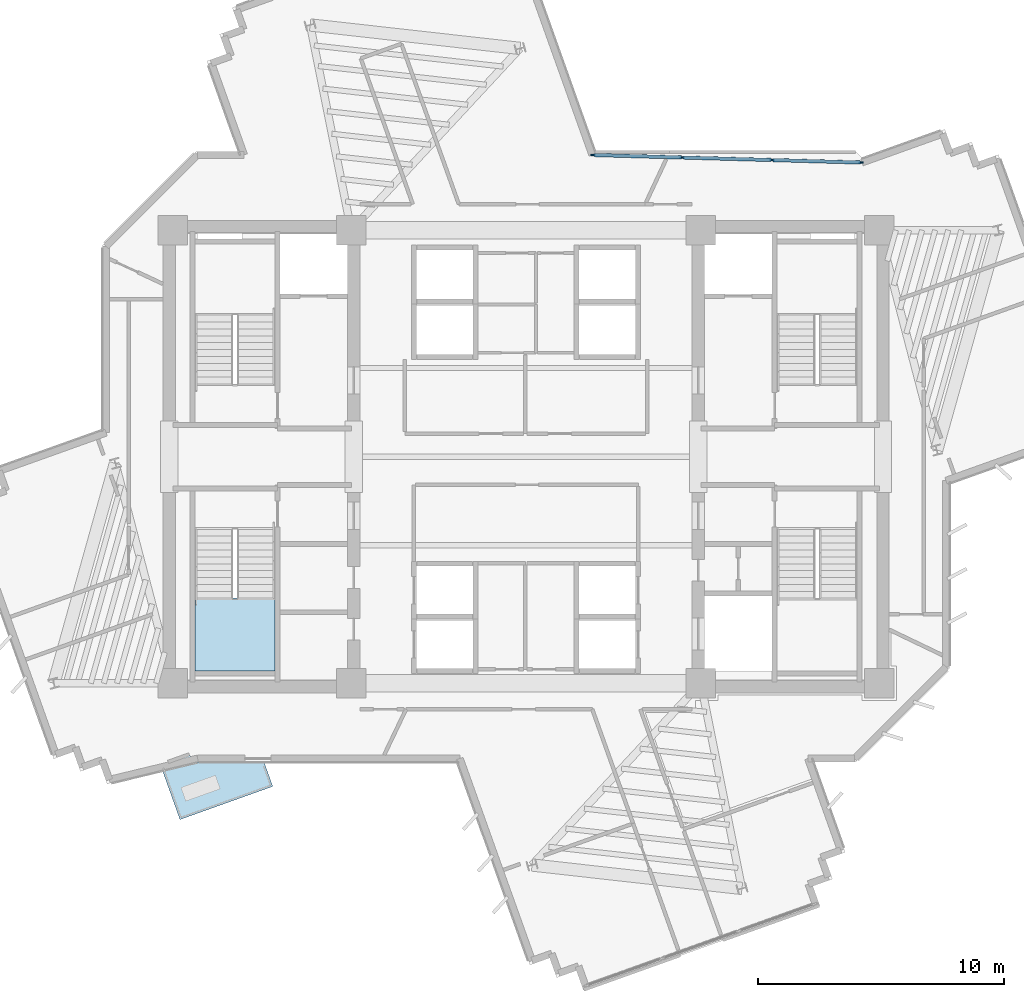
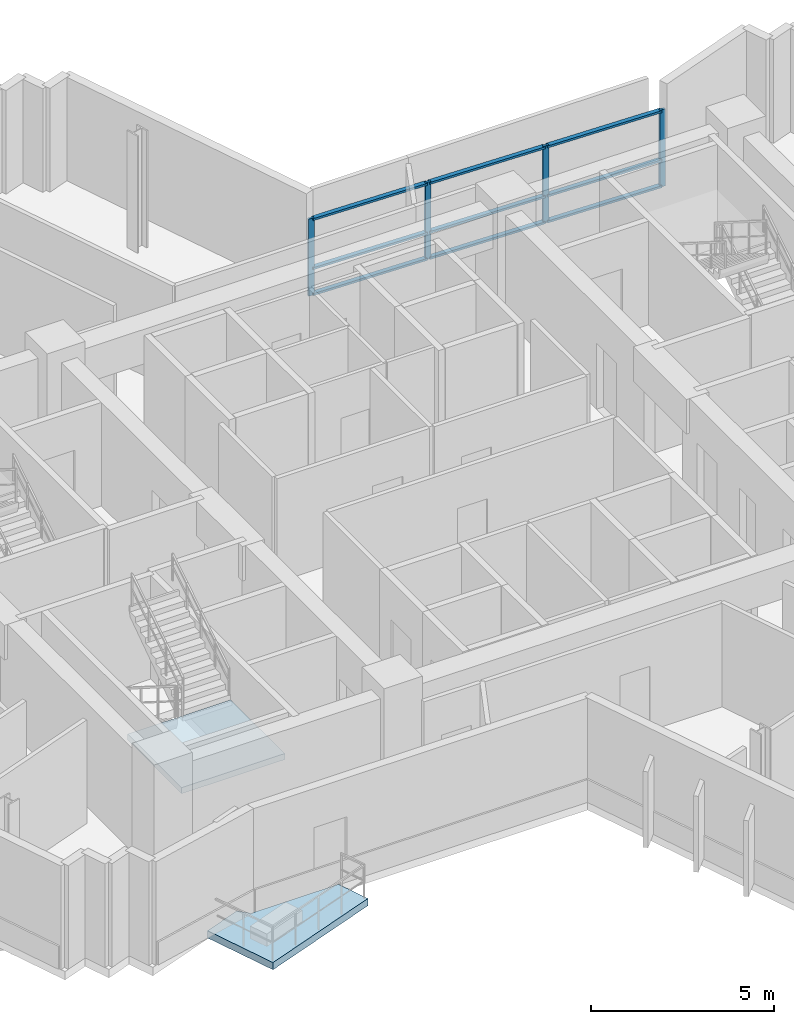
# One storey, part 4 of 13: 13 members, 2 slabs, 2 elements without a shape of their own.
"""IFC4 building model written with IfcOpenShell, lengths in metres."""

import ifcopenshell
import ifcopenshell.guid

model = None  # the IFC model being written
_history = None  # IfcOwnerHistory: only IFC2X3 demands one
_inside = {}  # id of a spatial element -> (the spatial element, [elements in it])
_under = {}  # id of a project, library or spatial element -> (it, [spatial elements below it])
_declared = {}  # id of a project -> (the project, [libraries it declares])
_typed = {}  # id of a type object -> (the type object, [elements of that type])
_made_of = {}  # id of a material, layer set ... -> (it, [elements and type objects made of it])


def new_model(schema):
    """Start an empty IFC model of exactly this schema.

    Asked for "IFC4X3", IfcOpenShell would pick the latest addendum, in which some entities
    have other attributes; the version numbers below select the first issue.
    IFC2X3 requires an IfcOwnerHistory on every rooted entity: one is made here for all.
    """
    global model, _history
    if schema == "IFC4X3":
        model = ifcopenshell.file(schema_version=(4, 3, 0, 0))
    else:
        model = ifcopenshell.file(schema=schema)
    _inside.clear()
    _under.clear()
    _declared.clear()
    _typed.clear()
    _made_of.clear()
    _history = None
    if model.schema == "IFC2X3":
        org = make("IfcOrganization", Name="unknown")
        user = make(
            "IfcPersonAndOrganization",
            ThePerson=make("IfcPerson", FamilyName="unknown"),
            TheOrganization=org,
        )
        app = make(
            "IfcApplication",
            ApplicationDeveloper=org,
            Version="unknown",
            ApplicationFullName="unknown",
            ApplicationIdentifier="unknown",
        )
        _history = make(
            "IfcOwnerHistory",
            OwningUser=user,
            OwningApplication=app,
            ChangeAction="ADDED",
            CreationDate=0,
        )
    return model


def make(cls, **values):
    """One entity of the class cls with the attributes given. An attribute that is None is left unset."""
    return model.create_entity(
        cls, **{name: value for name, value in values.items() if value is not None}
    )


def rooted(cls, **values):
    """An entity with a GlobalId (a new one), such as an element, a storey or a relation."""
    return make(cls, GlobalId=ifcopenshell.guid.new(), OwnerHistory=_history, **values)


def si_unit(unit_type, name, prefix=None):
    """IfcSIUnit, for example si_unit("LENGTHUNIT", "METRE", prefix="MILLI")."""
    return make("IfcSIUnit", UnitType=unit_type, Prefix=prefix, Name=name)


def assignment(units):
    """IfcUnitAssignment: the units of a project."""
    return None if units is None else make("IfcUnitAssignment", Units=units)


def point(xyz):
    """IfcCartesianPoint."""
    return None if xyz is None else make("IfcCartesianPoint", Coordinates=xyz)


def direction(xyz):
    """IfcDirection."""
    return None if xyz is None else make("IfcDirection", DirectionRatios=xyz)


def frame(location, z_axis=None, x_axis=None):
    """IfcAxis2Placement3D, a coordinate frame: its origin and axes. An axis left out is left unset."""
    return make(
        "IfcAxis2Placement3D",
        Location=point(location),
        Axis=direction(z_axis),
        RefDirection=direction(x_axis),
    )


def frame_2d(location, x_axis=None):
    """IfcAxis2Placement2D, a coordinate frame in the plane: its origin and x axis."""
    return make(
        "IfcAxis2Placement2D", Location=point(location), RefDirection=direction(x_axis)
    )


def origin():
    """The frame at (0, 0, 0) with its axes left unset."""
    return frame((0.0, 0.0, 0.0))


def origin_2d():
    """The frame at (0, 0) in the plane with its x axis left unset."""
    return frame_2d((0.0, 0.0))


def place(relative_to, where):
    """IfcLocalPlacement: puts the frame where relative to a parent placement (None: the world)."""
    return make(
        "IfcLocalPlacement", PlacementRelTo=relative_to, RelativePlacement=where
    )


def context(
    kind, dimensions, precision=None, world=None, true_north=None, identifier=None
):
    """IfcGeometricRepresentationContext, for example the 3D "Model" context."""
    return make(
        "IfcGeometricRepresentationContext",
        ContextIdentifier=identifier,
        ContextType=kind,
        CoordinateSpaceDimension=dimensions,
        Precision=precision,
        WorldCoordinateSystem=world,
        TrueNorth=true_north,
    )


def subcontext(parent, identifier, kind, view, scale=None):
    """IfcGeometricRepresentationSubContext, for example "Body" below "Model"."""
    return make(
        "IfcGeometricRepresentationSubContext",
        ContextIdentifier=identifier,
        ContextType=kind,
        ParentContext=parent,
        TargetScale=scale,
        TargetView=view,
    )


def project(units=None, contexts=None):
    """IfcProject with its units and contexts."""
    return rooted(
        "IfcProject",
        Name="project",
        RepresentationContexts=contexts,
        UnitsInContext=assignment(units),
    )


def spatial(cls, under=None, at=None, **own):
    """A site, building, storey or space (cls), placed at a placement, below another one or the project."""
    s = rooted(cls, ObjectPlacement=at, **own)
    if under is not None:
        _under.setdefault(under.id(), (under, []))[1].append(s)
    return s


def polyline(points):
    """IfcPolyline through the points."""
    return make("IfcPolyline", Points=[point(p) for p in points])


def profile(cls, at=None, kind="AREA", **sizes):
    """A parametric profile (cls). Its sizes go by their IFC names, for example OverallWidth=200.0."""
    return make(cls, ProfileType=kind, Position=at, **sizes)


def rectangle(**sizes):
    """IfcRectangleProfileDef."""
    return profile("IfcRectangleProfileDef", **sizes)


def outline(outer, holes=None, kind="AREA"):
    """IfcArbitraryClosedProfileDef: a profile drawn as a closed curve; with holes, ...WithVoids."""
    if holes is None:
        return make("IfcArbitraryClosedProfileDef", ProfileType=kind, OuterCurve=outer)
    return make(
        "IfcArbitraryProfileDefWithVoids",
        ProfileType=kind,
        OuterCurve=outer,
        InnerCurves=holes,
    )


def extrude(swept, where, along, depth):
    """IfcExtrudedAreaSolid: the profile swept, set in the frame where, extruded along a direction by depth."""
    return make(
        "IfcExtrudedAreaSolid",
        SweptArea=swept,
        Position=where,
        ExtrudedDirection=direction(along),
        Depth=depth,
    )


def shape(context_of_items, identifier, shape_type, items):
    """IfcShapeRepresentation: the items that make up one representation, for example the "Body"."""
    return make(
        "IfcShapeRepresentation",
        ContextOfItems=context_of_items,
        RepresentationIdentifier=identifier,
        RepresentationType=shape_type,
        Items=items,
    )


def source(mapping_origin, context_of_items, identifier, shape_type, items):
    """IfcRepresentationMap: a shape defined once, which mapped items show again and again."""
    return make(
        "IfcRepresentationMap",
        MappingOrigin=mapping_origin,
        MappedRepresentation=shape(context_of_items, identifier, shape_type, items),
    )


def transform(
    local_origin,
    x_axis=None,
    y_axis=None,
    z_axis=None,
    scale=None,
    scale2=None,
    scale3=None,
    uniform=True,
):
    """IfcCartesianTransformationOperator3D, or its non-uniform kind. x_axis, y_axis, z_axis: its Axis1, 2, 3."""
    if uniform:
        return make(
            "IfcCartesianTransformationOperator3D",
            Axis1=direction(x_axis),
            Axis2=direction(y_axis),
            LocalOrigin=point(local_origin),
            Scale=scale,
            Axis3=direction(z_axis),
        )
    return make(
        "IfcCartesianTransformationOperator3DnonUniform",
        Axis1=direction(x_axis),
        Axis2=direction(y_axis),
        LocalOrigin=point(local_origin),
        Scale=scale,
        Axis3=direction(z_axis),
        Scale2=scale2,
        Scale3=scale3,
    )


def mapped(mapping_source, mapping_target):
    """IfcMappedItem: shows the shape of a source again, moved by a transform."""
    return make(
        "IfcMappedItem", MappingSource=mapping_source, MappingTarget=mapping_target
    )


def material(Name=None, Category=None):
    """IfcMaterial."""
    return make("IfcMaterial", Name=Name, Category=Category)


def layer(
    of_material, thickness, ventilated=None, Name=None, Category=None, Priority=None
):
    """IfcMaterialLayer: one layer of a wall or slab, of a material (None: an air gap)."""
    return make(
        "IfcMaterialLayer",
        Material=of_material,
        LayerThickness=thickness,
        IsVentilated=ventilated,
        Name=Name,
        Category=Category,
        Priority=Priority,
    )


def layer_set(layers, Name=None):
    """IfcMaterialLayerSet."""
    return make("IfcMaterialLayerSet", MaterialLayers=layers, LayerSetName=Name)


def material_profile(
    of_material, cross_section, Name=None, Category=None, Priority=None
):
    """IfcMaterialProfile: a cross section and its material."""
    return make(
        "IfcMaterialProfile",
        Name=Name,
        Material=of_material,
        Profile=cross_section,
        Priority=Priority,
        Category=Category,
    )


def profile_set(profiles, Name=None, composite=None):
    """IfcMaterialProfileSet."""
    return make(
        "IfcMaterialProfileSet",
        Name=Name,
        MaterialProfiles=profiles,
        CompositeProfile=composite,
    )


def made_of(thing, what):
    """Note that an element or type object is made of a material, layer set ...; save() writes the relation."""
    if what is not None:
        _made_of.setdefault(what.id(), (what, []))[1].append(thing)
    return thing


def type_object(cls, material=None, **own):
    """A type object (cls), such as IfcWallType, which elements share."""
    return made_of(rooted(cls, **own), material)


def element(
    cls,
    number,
    at=None,
    inside=None,
    cuts=None,
    type_object=None,
    material=None,
    context=None,
    identifier="Body",
    shape_type=None,
    held_by="IfcProductDefinitionShape",
    body=None,
    shapes=None,
    **own,
):
    """One element of the class cls, such as IfcWall. Its Tag is "e" and its number.

    at: its placement. inside: the storey or other place that contains it. cuts: it is an
    opening in that element (IfcRelVoidsElement). A single representation is given by context,
    identifier, shape_type and body (its items); several are given by shapes. held_by: the class
    of the entity that holds the representations. save() writes the other relations.
    """
    e = rooted(cls, Tag="e%d" % number, ObjectPlacement=at, **own)
    if body is not None:
        shapes = [shape(context, identifier, shape_type, body)]
    if shapes is not None:
        e.Representation = make(held_by, Representations=shapes)
    if inside is not None:
        _inside.setdefault(inside.id(), (inside, []))[1].append(e)
    if cuts is not None:
        rooted(
            "IfcRelVoidsElement", RelatingBuildingElement=cuts, RelatedOpeningElement=e
        )
    if type_object is not None:
        _typed.setdefault(type_object.id(), (type_object, []))[1].append(e)
    return made_of(e, material)


def aggregate(whole, parts):
    """IfcRelAggregates: a whole, such as a stair, and the parts it consists of."""
    return rooted("IfcRelAggregates", RelatingObject=whole, RelatedObjects=parts)


def save(model, path):
    """Write the relations noted so far, then the file.

    IfcRelAggregates (storeys below a building ...), IfcRelContainedInSpatialStructure (elements
    in a storey), IfcRelDefinesByType, IfcRelAssociatesMaterial and IfcRelDeclares: one each for
    every whole, place, type object, material and project.
    """
    for whole, parts in _under.values():
        aggregate(whole, parts)
    for where, things in _inside.values():
        rooted(
            "IfcRelContainedInSpatialStructure",
            RelatedElements=things,
            RelatingStructure=where,
        )
    for kind, things in _typed.values():
        rooted("IfcRelDefinesByType", RelatedObjects=things, RelatingType=kind)
    for what, things in _made_of.values():
        rooted("IfcRelAssociatesMaterial", RelatedObjects=things, RelatingMaterial=what)
    for by, libraries in _declared.values():
        rooted("IfcRelDeclares", RelatingContext=by, RelatedDefinitions=libraries)
    model.write(path)


model = new_model("IFC4")

# Units and contexts
model_context = context("Model", 3, precision=1e-05, world=origin(), true_north=direction((0.0, 1.0)))
body_context = subcontext(model_context, "Body", "Model", "MODEL_VIEW")
ifc_project = project(units=[si_unit("LENGTHUNIT", "METRE"), si_unit("AREAUNIT", "SQUARE_METRE"), si_unit("VOLUMEUNIT", "CUBIC_METRE"), si_unit("PLANEANGLEUNIT", "RADIAN"), si_unit("MASSUNIT", "GRAM", prefix="KILO")], contexts=[model_context])

# Site, building, storey
site_placement = place(None, origin())
site = spatial("IfcSite", under=ifc_project, at=site_placement, CompositionType="ELEMENT")
building_placement = place(site_placement, origin())
building = spatial("IfcBuilding", under=site, at=building_placement, Name="Zahravan Cultural Tower", CompositionType="ELEMENT")
storey_placement = place(building_placement, frame((0.0, 0.0, 225.300048828125)))
storey = spatial("IfcBuildingStorey", under=building, at=storey_placement, Name="L53", CompositionType="ELEMENT", Elevation=225.300048828125)

# Curtain wall, members
ifc_material_1 = material(Name="Anodised bronze-aluminium mullion", Category="aluminium")
ifc_layer_1 = layer(ifc_material_1, 0.179931640625)
ifc_layer_set_1 = layer_set([ifc_layer_1], Name="Anodised bronze-aluminium mullion")
curtain_wall_type = type_object("IfcCurtainWallType", Name="CW-SYS-3", PredefinedType="USERDEFINED", material=ifc_layer_set_1)
curtain_wall_placement = place(storey_placement, origin())
curtain_wall = element("IfcCurtainWall", 1, at=curtain_wall_placement, inside=storey, type_object=curtain_wall_type, Name="L53 Recessed Curtain Wall CW-3.2", ObjectType="RECESSED GLAZING", PredefinedType="USERDEFINED")
ifc_material_profile_1 = material_profile(ifc_material_1, rectangle(XDim=0.139892578125, YDim=0.070068359375, at=origin_2d()), Name="AL-T70X140")
ifc_profile_set_1 = profile_set([ifc_material_profile_1], Name="Anodised bronze-aluminium mullion")
member_type_1 = type_object("IfcMemberType", Name="CWT-CW-3", PredefinedType="USERDEFINED", material=ifc_profile_set_1)
shared_shape_1 = source(origin(), body_context, "Body", "SweptSolid", [
    extrude(rectangle(XDim=0.139892578125, YDim=0.070068359375, at=origin_2d()), origin(), (0.0, 0.0, 1.0), 3.549560546875),
])
member_1_placement = place(storey_placement, frame((38.760986328125, 39.258056640625, 0.034912109375), z_axis=(0.999604225153, -0.028131709082, 0.0), x_axis=(0.028131709082, 0.999604225153, 0.0)))
member_1 = element("IfcMember", 2, at=member_1_placement, type_object=member_type_1, Name="CW-3 transom 1.1", ObjectType="TRANSOM", PredefinedType="USERDEFINED", context=body_context, shape_type="MappedRepresentation", body=[
    mapped(shared_shape_1, transform((0.0, 0.0, 0.0), x_axis=(1.0, 0.0, 0.0), y_axis=(0.0, 1.0, 0.0), z_axis=(0.0, 0.0, 1.0), scale=1.0)),
])
member_2_placement = place(storey_placement, frame((38.760986328125, 39.258056640625, 0.89990234375), z_axis=(0.999604225153, -0.028131709082, 0.0), x_axis=(0.028131709082, 0.999604225153, 0.0)))
member_2 = element("IfcMember", 3, at=member_2_placement, type_object=member_type_1, Name="CW-3 transom 1.2", ObjectType="TRANSOM", PredefinedType="USERDEFINED", context=body_context, shape_type="MappedRepresentation", body=[
    mapped(shared_shape_1, transform((0.0, 0.0, 0.0), x_axis=(1.0, 0.0, 0.0), y_axis=(0.0, 1.0, 0.0), z_axis=(0.0, 0.0, 1.0), scale=1.0)),
])
member_3_placement = place(storey_placement, frame((38.760986328125, 39.258056640625, 2.534912109375), z_axis=(0.999604225153, -0.028131709082, 0.0), x_axis=(0.028131709082, 0.999604225153, 0.0)))
member_3 = element("IfcMember", 4, at=member_3_placement, type_object=member_type_1, Name="CW-3 transom 1.3", ObjectType="TRANSOM", PredefinedType="USERDEFINED", context=body_context, shape_type="MappedRepresentation", body=[
    mapped(shared_shape_1, transform((0.0, 0.0, 0.0), x_axis=(1.0, 0.0, 0.0), y_axis=(0.0, 1.0, 0.0), z_axis=(0.0, 0.0, 1.0), scale=1.0)),
])
shared_shape_2 = source(origin(), body_context, "Body", "SweptSolid", [
    extrude(rectangle(XDim=0.139892578125, YDim=0.070068359375, at=origin_2d()), origin(), (0.0, 0.0, 1.0), 3.584716796875),
])
member_4_placement = place(storey_placement, frame((42.379150390625, 39.156005859375, 0.034912109375), z_axis=(0.999604325829, -0.028128131537, 0.0), x_axis=(0.028128131537, 0.999604325829, 0.0)))
member_4 = element("IfcMember", 5, at=member_4_placement, type_object=member_type_1, Name="CW-3 transom 2.1", ObjectType="TRANSOM", PredefinedType="USERDEFINED", context=body_context, shape_type="MappedRepresentation", body=[
    mapped(shared_shape_2, transform((0.0, 0.0, 0.0), x_axis=(1.0, 0.0, 0.0), y_axis=(0.0, 1.0, 0.0), z_axis=(0.0, 0.0, 1.0), scale=1.0)),
])
member_5_placement = place(storey_placement, frame((42.379150390625, 39.156005859375, 0.89990234375), z_axis=(0.999604325829, -0.028128131537, 0.0), x_axis=(0.028128131537, 0.999604325829, 0.0)))
member_5 = element("IfcMember", 6, at=member_5_placement, type_object=member_type_1, Name="CW-3 transom 2.2", ObjectType="TRANSOM", PredefinedType="USERDEFINED", context=body_context, shape_type="MappedRepresentation", body=[
    mapped(shared_shape_2, transform((0.0, 0.0, 0.0), x_axis=(1.0, 0.0, 0.0), y_axis=(0.0, 1.0, 0.0), z_axis=(0.0, 0.0, 1.0), scale=1.0)),
])
member_6_placement = place(storey_placement, frame((42.379150390625, 39.156005859375, 2.534912109375), z_axis=(0.999604325829, -0.028128131537, 0.0), x_axis=(0.028128131537, 0.999604325829, 0.0)))
member_6 = element("IfcMember", 7, at=member_6_placement, type_object=member_type_1, Name="CW-3 transom 2.3", ObjectType="TRANSOM", PredefinedType="USERDEFINED", context=body_context, shape_type="MappedRepresentation", body=[
    mapped(shared_shape_2, transform((0.0, 0.0, 0.0), x_axis=(1.0, 0.0, 0.0), y_axis=(0.0, 1.0, 0.0), z_axis=(0.0, 0.0, 1.0), scale=1.0)),
])
shared_shape_3 = source(origin(), body_context, "Body", "SweptSolid", [
    extrude(rectangle(XDim=0.139892578125, YDim=0.070068359375, at=origin_2d()), origin(), (0.0, 0.0, 1.0), 3.5498046875),
])
member_7_placement = place(storey_placement, frame((46.032470703125, 39.05322265625, 0.034912109375), z_axis=(0.999604279581, -0.028129775034, 0.0), x_axis=(0.028129775034, 0.999604279581, 0.0)))
member_7 = element("IfcMember", 8, at=member_7_placement, type_object=member_type_1, Name="CW-3 transom 3.1", ObjectType="TRANSOM", PredefinedType="USERDEFINED", context=body_context, shape_type="MappedRepresentation", body=[
    mapped(shared_shape_3, transform((0.0, 0.0, 0.0), x_axis=(1.0, 0.0, 0.0), y_axis=(0.0, 1.0, 0.0), z_axis=(0.0, 0.0, 1.0), scale=1.0)),
])
member_8_placement = place(storey_placement, frame((46.032470703125, 39.05322265625, 0.89990234375), z_axis=(0.999604279581, -0.028129775034, 0.0), x_axis=(0.028129775034, 0.999604279581, 0.0)))
member_8 = element("IfcMember", 9, at=member_8_placement, type_object=member_type_1, Name="CW-3 transom 3.2", ObjectType="TRANSOM", PredefinedType="USERDEFINED", context=body_context, shape_type="MappedRepresentation", body=[
    mapped(shared_shape_3, transform((0.0, 0.0, 0.0), x_axis=(1.0, 0.0, 0.0), y_axis=(0.0, 1.0, 0.0), z_axis=(0.0, 0.0, 1.0), scale=1.0)),
])
member_9_placement = place(storey_placement, frame((46.032470703125, 39.05322265625, 2.534912109375), z_axis=(0.999604279581, -0.028129775034, 0.0), x_axis=(0.028129775034, 0.999604279581, 0.0)))
member_9 = element("IfcMember", 10, at=member_9_placement, type_object=member_type_1, Name="CW-3 transom 3.3", ObjectType="TRANSOM", PredefinedType="USERDEFINED", context=body_context, shape_type="MappedRepresentation", body=[
    mapped(shared_shape_3, transform((0.0, 0.0, 0.0), x_axis=(1.0, 0.0, 0.0), y_axis=(0.0, 1.0, 0.0), z_axis=(0.0, 0.0, 1.0), scale=1.0)),
])
ifc_material_profile_2 = material_profile(ifc_material_1, rectangle(XDim=0.070068359375, YDim=0.179931640625, at=origin_2d()), Name="AL-M70X180")
ifc_profile_set_2 = profile_set([ifc_material_profile_2], Name="Anodised bronze-aluminium mullion")
member_type_2 = type_object("IfcMemberType", Name="CWM-CW-3", PredefinedType="MULLION", material=ifc_profile_set_2)
shared_shape_4 = source(origin(), body_context, "Body", "SweptSolid", [
    extrude(rectangle(XDim=0.070068359375, YDim=0.179931640625, at=origin_2d()), origin(), (0.0, 0.0, 1.0), 2.570068359375),
])
member_10_placement = place(storey_placement, frame((38.725830078125, 39.259033203125, 0.0), z_axis=(0.0, 0.0, 1.0), x_axis=(0.028155405977, 0.999603557974, 0.0)))
member_10 = element("IfcMember", 11, at=member_10_placement, type_object=member_type_2, Name="CW-3 mullion 1", PredefinedType="MULLION", context=body_context, shape_type="MappedRepresentation", body=[
    mapped(shared_shape_4, transform((0.0, 0.0, 0.0), x_axis=(1.0, 0.0, 0.0), y_axis=(0.0, 1.0, 0.0), z_axis=(0.0, 0.0, 1.0), scale=1.0)),
])
member_11_placement = place(storey_placement, frame((42.34423828125, 39.156982421875, 0.0), z_axis=(0.0, 0.0, 1.0), x_axis=(0.028155405977, 0.999603557974, 0.0)))
member_11 = element("IfcMember", 12, at=member_11_placement, type_object=member_type_2, Name="CW-3 mullion 2", PredefinedType="MULLION", context=body_context, shape_type="MappedRepresentation", body=[
    mapped(shared_shape_4, transform((0.0, 0.0, 0.0), x_axis=(1.0, 0.0, 0.0), y_axis=(0.0, 1.0, 0.0), z_axis=(0.0, 0.0, 1.0), scale=1.0)),
])
member_12_placement = place(storey_placement, frame((45.997314453125, 39.05419921875, 0.0), z_axis=(0.0, 0.0, 1.0), x_axis=(0.028155405977, 0.999603557974, 0.0)))
member_12 = element("IfcMember", 13, at=member_12_placement, type_object=member_type_2, Name="CW-3 mullion 3", PredefinedType="MULLION", context=body_context, shape_type="MappedRepresentation", body=[
    mapped(shared_shape_4, transform((0.0, 0.0, 0.0), x_axis=(1.0, 0.0, 0.0), y_axis=(0.0, 1.0, 0.0), z_axis=(0.0, 0.0, 1.0), scale=1.0)),
])
member_13_placement = place(storey_placement, frame((49.61572265625, 38.952392578125, 0.0), z_axis=(0.0, 0.0, 1.0), x_axis=(0.028155405977, 0.999603557974, 0.0)))
member_13 = element("IfcMember", 14, at=member_13_placement, type_object=member_type_2, Name="CW-3 mullion 4", PredefinedType="MULLION", context=body_context, shape_type="MappedRepresentation", body=[
    mapped(shared_shape_4, transform((0.0, 0.0, 0.0), x_axis=(1.0, 0.0, 0.0), y_axis=(0.0, 1.0, 0.0), z_axis=(0.0, 0.0, 1.0), scale=1.0)),
])
aggregate(curtain_wall, [member_10, member_11, member_12, member_13, member_1, member_2, member_3, member_4, member_5, member_6, member_7, member_8, member_9])

# Stair, slab
ifc_material_2 = material(Name="Concrete C45/55", Category="concrete")
stair_type = type_object("IfcStairType", Name="STR-DL-1550-390", PredefinedType="HALF_TURN_STAIR", material=ifc_material_2)
stair_placement = place(storey_placement, origin())
stair = element("IfcStair", 15, at=stair_placement, inside=storey, type_object=stair_type, Name="L53 West Core South Exit Stair ST-W2", PredefinedType="HALF_TURN_STAIR")
ifc_layer_2 = layer(ifc_material_2, 0.199951171875)
ifc_layer_set_2 = layer_set([ifc_layer_2], Name="Concrete C45/55")
slab_type_1 = type_object("IfcSlabType", Name="SL-STAIR-LND200", PredefinedType="LANDING", material=ifc_layer_set_2)
slab_1_placement = place(storey_placement, frame((0.0, 0.0, 1.75)))
slab_1 = element("IfcSlab", 16, at=slab_1_placement, type_object=slab_type_1, Name="ST-W2 landing 1", PredefinedType="LANDING", context=body_context, shape_type="SweptSolid", body=[
    extrude(outline(polyline([(22.550048828125, 21.25), (22.550048828125, 18.300048828125), (25.800048828125, 18.300048828125), (25.800048828125, 21.25), (22.550048828125, 21.25)])), origin(), (0.0, 0.0, 1.0), 0.199951171875),
])
aggregate(stair, [slab_1])

# Slab
ifc_material_3 = material(Name="Concrete C40/50", Category="concrete")
ifc_layer_3 = layer(ifc_material_3, 0.239990234375)
ifc_layer_set_3 = layer_set([ifc_layer_3], Name="Concrete C40/50")
slab_type_2 = type_object("IfcSlabType", Name="SL-TERR-240", PredefinedType="FLOOR", material=ifc_layer_set_3)
slab_2_placement = place(storey_placement, frame((0.0, 0.0, -0.239990234375)))
element("IfcSlab", 17, at=slab_2_placement, inside=storey, type_object=slab_type_2, Name="L53 Planted Sculpture Terrace SW", PredefinedType="FLOOR", context=body_context, shape_type="SweptSolid", body=[
    extrude(outline(polyline([(25.707763671875, 13.604736328125), (25.35400390625, 14.594970703125), (22.599609375, 14.594970703125), (22.311767578125, 14.881103515625), (21.15185546875, 14.466796875), (21.941162109375, 12.258544921875), (25.707763671875, 13.604736328125)])), origin(), (0.0, 0.0, 1.0), 0.239990234375),
])

save(model, "model.ifc")
